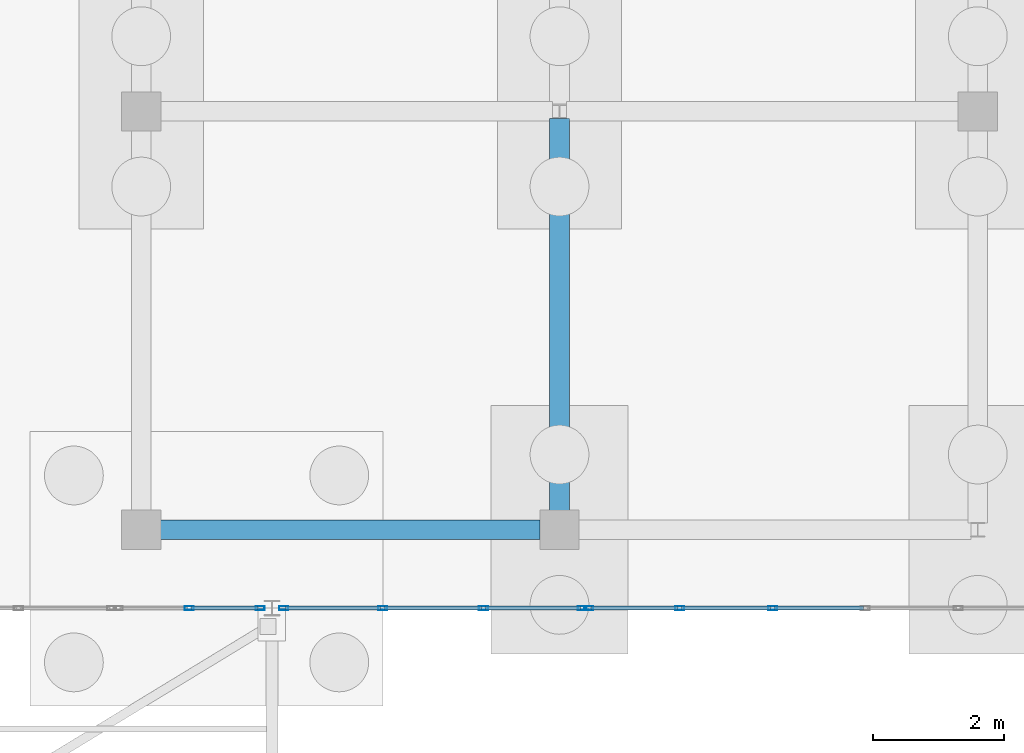
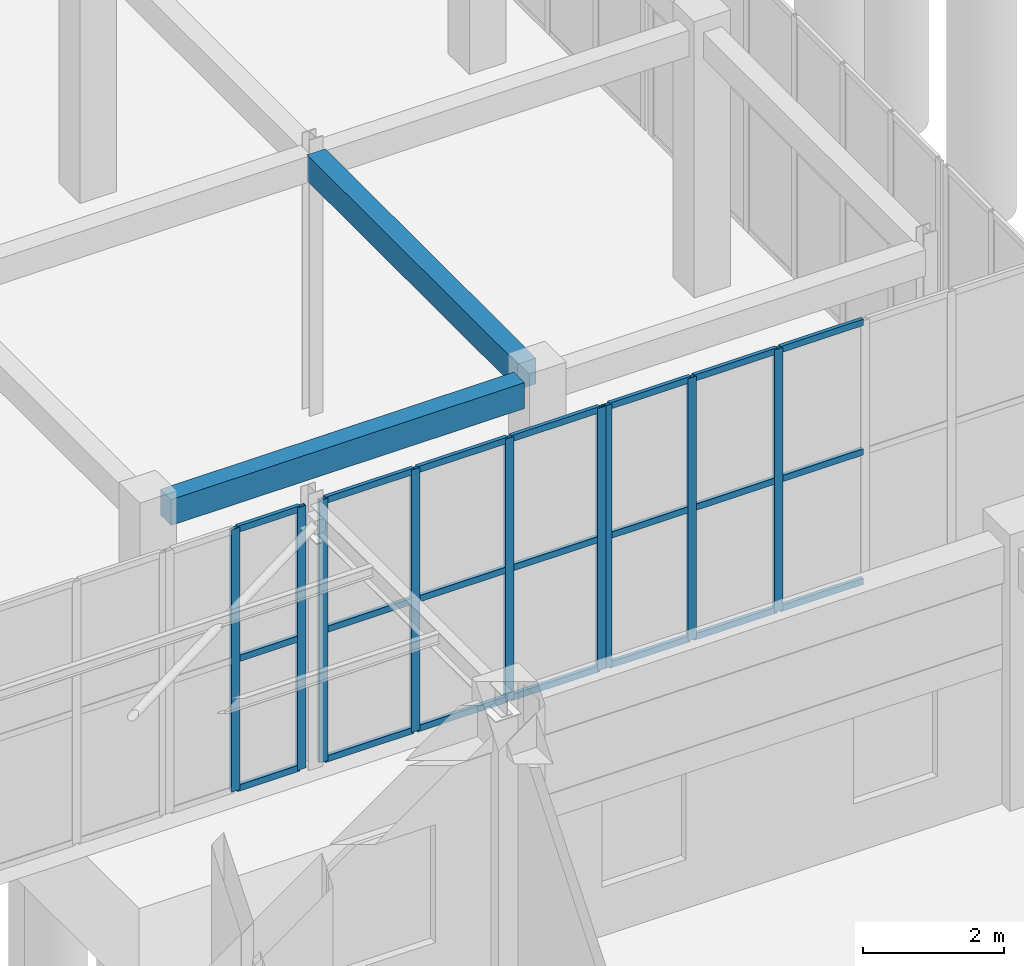
# One storey, part 71 of 192: 30 members, 2 beams, 3 elements without a shape of their own.
"""IFC4 building model written with IfcOpenShell, lengths in metres."""

from ifc_helpers import new_model, si_unit, direction, frame, origin, origin_2d, place, context, subcontext, project, spatial, rectangle, hollow_rectangle, extrude, material, layer, layer_set, material_profile, profile_set, type_object, element, aggregate, save


model = new_model("IFC4")

# Units and contexts
model_context = context("Model", 3, precision=1e-05, world=origin(), true_north=direction((0.0, 1.0)))
body_context = subcontext(model_context, "Body", "Model", "MODEL_VIEW")
ifc_project = project(units=[si_unit("LENGTHUNIT", "METRE"), si_unit("AREAUNIT", "SQUARE_METRE"), si_unit("VOLUMEUNIT", "CUBIC_METRE"), si_unit("PLANEANGLEUNIT", "RADIAN"), si_unit("MASSUNIT", "GRAM", prefix="KILO")], contexts=[model_context])

# Site, building, storey
site_placement = place(None, origin())
site = spatial("IfcSite", under=ifc_project, at=site_placement, CompositionType="ELEMENT")
building_placement = place(site_placement, origin())
building = spatial("IfcBuilding", under=site, at=building_placement, Name="Trelvath General Hospital", CompositionType="ELEMENT")
storey_placement = place(building_placement, origin())
storey = spatial("IfcBuildingStorey", under=building, at=storey_placement, Name="L00", CompositionType="ELEMENT", Elevation=0.0)

# Beams
ifc_material_1 = material(Name="Concrete C35/45", Category="concrete")
ifc_material_profile_1 = material_profile(ifc_material_1, rectangle(XDim=0.300048828125, YDim=0.449951171875, at=origin_2d()), Name="RCB300x450")
ifc_profile_set_1 = profile_set([ifc_material_profile_1], Name="Concrete C35/45")
beam_type = type_object("IfcBeamType", Name="Beam RC300x450", PredefinedType="BEAM", material=ifc_profile_set_1)
beam_1_placement = place(storey_placement, frame((107.49609375, 32.0, 4.3349609375), z_axis=(1.0, 0.0, 0.0), x_axis=(0.0, 1.0, 0.0)))
element("IfcBeam", 1, at=beam_1_placement, inside=storey, type_object=beam_type, Name="Cube Interior Ring Beam CUBE-E-T0 L00", PredefinedType="BEAM", context=body_context, shape_type="SweptSolid", body=[
    extrude(rectangle(XDim=0.300048828125, YDim=0.449951171875, at=origin_2d()), origin(), (0.0, 0.0, 1.0), 5.807861328125),
])
beam_2_placement = place(storey_placement, frame((113.60009765625, 32.2958984375, 4.3349609375), z_axis=(0.0, 1.0, 0.0), x_axis=(-1.0, 0.0, 0.0)))
element("IfcBeam", 2, at=beam_2_placement, inside=storey, type_object=beam_type, Name="Cube Interior Ring Beam CUBE-E-T0 L00", PredefinedType="BEAM", context=body_context, shape_type="SweptSolid", body=[
    extrude(rectangle(XDim=0.300048828125, YDim=0.449951171875, at=origin_2d()), origin(), (0.0, 0.0, 1.0), 5.998046875),
])

# Curtain wall, members
ifc_material_2 = material(Name="Anodised aluminium and low-E glass", Category="aluminium")
ifc_layer_1 = layer(ifc_material_2, 0.139892578125)
ifc_layer_set_1 = layer_set([ifc_layer_1], Name="Anodised aluminium and low-E glass")
curtain_wall_type_1 = type_object("IfcCurtainWallType", Name="CW CrystalCube 223 456 14", PredefinedType="USERDEFINED", material=ifc_layer_set_1)
curtain_wall_1_placement = place(storey_placement, origin())
curtain_wall_1 = element("IfcCurtainWall", 3, at=curtain_wall_1_placement, inside=storey, type_object=curtain_wall_type_1, Name="Crystal Cube Curtain Wall CUBE-E-T0 S3 L00", ObjectType="Unitised Glazed Curtain Wall", PredefinedType="USERDEFINED")
ifc_material_3 = material(Name="Anodised aluminium", Category="aluminium")
ifc_material_profile_2 = material_profile(ifc_material_3, hollow_rectangle(XDim=0.06005859375, YDim=0.139892578125, WallThickness=0.00390625, at=origin_2d()), Name="RHS60x140x4")
ifc_profile_set_2 = profile_set([ifc_material_profile_2], Name="Anodised aluminium")
member_type_1 = type_object("IfcMemberType", Name="CurtainMullion 60x140", PredefinedType="MULLION", material=ifc_profile_set_2)
member_1_placement = place(storey_placement, frame((109.02001953125, 30.800048828125, 0.0), z_axis=(0.0, 0.0, 1.0), x_axis=(0.0, -1.0, 0.0)))
member_1 = element("IfcMember", 4, at=member_1_placement, type_object=member_type_1, Name="CW-108 mullion 1", PredefinedType="MULLION", context=body_context, shape_type="SweptSolid", body=[
    extrude(hollow_rectangle(XDim=0.06005859375, YDim=0.139892578125, WallThickness=0.00390625, at=origin_2d()), origin(), (0.0, 0.0, 1.0), 4.56005859375),
])
member_2_placement = place(storey_placement, frame((107.93505859375, 30.800048828125, 0.0), z_axis=(0.0, 0.0, 1.0), x_axis=(0.0, -1.0, 0.0)))
member_2 = element("IfcMember", 5, at=member_2_placement, type_object=member_type_1, Name="CW-108 mullion 2", PredefinedType="MULLION", context=body_context, shape_type="SweptSolid", body=[
    extrude(hollow_rectangle(XDim=0.06005859375, YDim=0.139892578125, WallThickness=0.00390625, at=origin_2d()), origin(), (0.0, 0.0, 1.0), 4.56005859375),
])

ifc_material_4 = material(Name="Anodised aluminium and low-E glass", Category="aluminium")
ifc_layer_2 = layer(ifc_material_4, 0.139892578125)
ifc_layer_set_2 = layer_set([ifc_layer_2], Name="Anodised aluminium and low-E glass")
curtain_wall_type_2 = type_object("IfcCurtainWallType", Name="CW CrystalCube 463 456 14", PredefinedType="USERDEFINED", material=ifc_layer_set_2)
curtain_wall_2_placement = place(storey_placement, origin())
curtain_wall_2 = element("IfcCurtainWall", 6, at=curtain_wall_2_placement, inside=storey, type_object=curtain_wall_type_2, Name="Crystal Cube Curtain Wall CUBE-E-T0 S4 L00", ObjectType="Unitised Glazed Curtain Wall", PredefinedType="USERDEFINED")
member_3_placement = place(storey_placement, frame((113.949951171875, 30.800048828125, 0.0), z_axis=(0.0, 0.0, 1.0), x_axis=(0.0, -1.0, 0.0)))
member_3 = element("IfcMember", 7, at=member_3_placement, type_object=member_type_1, Name="CW-109 mullion 1", PredefinedType="MULLION", context=body_context, shape_type="SweptSolid", body=[
    extrude(hollow_rectangle(XDim=0.06005859375, YDim=0.139892578125, WallThickness=0.00390625, at=origin_2d()), origin(), (0.0, 0.0, 1.0), 4.56005859375),
])
member_4_placement = place(storey_placement, frame((112.436767578125, 30.800048828125, 0.0), z_axis=(0.0, 0.0, 1.0), x_axis=(0.0, -1.0, 0.0)))
member_4 = element("IfcMember", 8, at=member_4_placement, type_object=member_type_1, Name="CW-109 mullion 2", PredefinedType="MULLION", context=body_context, shape_type="SweptSolid", body=[
    extrude(hollow_rectangle(XDim=0.06005859375, YDim=0.139892578125, WallThickness=0.00390625, at=origin_2d()), origin(), (0.0, 0.0, 1.0), 4.56005859375),
])
member_5_placement = place(storey_placement, frame((110.893310546875, 30.800048828125, 0.0), z_axis=(0.0, 0.0, 1.0), x_axis=(0.0, -1.0, 0.0)))
member_5 = element("IfcMember", 9, at=member_5_placement, type_object=member_type_1, Name="CW-109 mullion 3", PredefinedType="MULLION", context=body_context, shape_type="SweptSolid", body=[
    extrude(hollow_rectangle(XDim=0.06005859375, YDim=0.139892578125, WallThickness=0.00390625, at=origin_2d()), origin(), (0.0, 0.0, 1.0), 4.56005859375),
])
member_6_placement = place(storey_placement, frame((109.3798828125, 30.800048828125, 0.0), z_axis=(0.0, 0.0, 1.0), x_axis=(0.0, -1.0, 0.0)))
member_6 = element("IfcMember", 10, at=member_6_placement, type_object=member_type_1, Name="CW-109 mullion 4", PredefinedType="MULLION", context=body_context, shape_type="SweptSolid", body=[
    extrude(hollow_rectangle(XDim=0.06005859375, YDim=0.139892578125, WallThickness=0.00390625, at=origin_2d()), origin(), (0.0, 0.0, 1.0), 4.56005859375),
])

ifc_material_5 = material(Name="Anodised aluminium and low-E glass", Category="aluminium")
ifc_layer_3 = layer(ifc_material_5, 0.139892578125)
ifc_layer_set_3 = layer_set([ifc_layer_3], Name="Anodised aluminium and low-E glass")
curtain_wall_type_3 = type_object("IfcCurtainWallType", Name="CW CrystalCube 710 456 14", PredefinedType="USERDEFINED", material=ifc_layer_set_3)
curtain_wall_3_placement = place(storey_placement, origin())
curtain_wall_3 = element("IfcCurtainWall", 11, at=curtain_wall_3_placement, inside=storey, type_object=curtain_wall_type_3, Name="Crystal Cube Curtain Wall CUBE-E-T0 S5 L00", ObjectType="Unitised Glazed Curtain Wall", PredefinedType="USERDEFINED")
member_7_placement = place(storey_placement, frame((116.860107421875, 30.800048828125, 0.0), z_axis=(0.0, 0.0, 1.0), x_axis=(0.0, -1.0, 0.0)))
member_7 = element("IfcMember", 12, at=member_7_placement, type_object=member_type_1, Name="CW-110 mullion 4", PredefinedType="MULLION", context=body_context, shape_type="SweptSolid", body=[
    extrude(hollow_rectangle(XDim=0.06005859375, YDim=0.139892578125, WallThickness=0.00390625, at=origin_2d()), origin(), (0.0, 0.0, 1.0), 4.56005859375),
])
member_8_placement = place(storey_placement, frame((115.43994140625, 30.800048828125, 0.0), z_axis=(0.0, 0.0, 1.0), x_axis=(0.0, -1.0, 0.0)))
member_8 = element("IfcMember", 13, at=member_8_placement, type_object=member_type_1, Name="CW-110 mullion 5", PredefinedType="MULLION", context=body_context, shape_type="SweptSolid", body=[
    extrude(hollow_rectangle(XDim=0.06005859375, YDim=0.139892578125, WallThickness=0.00390625, at=origin_2d()), origin(), (0.0, 0.0, 1.0), 4.56005859375),
])
member_9_placement = place(storey_placement, frame((114.050048828125, 30.800048828125, 0.0), z_axis=(0.0, 0.0, 1.0), x_axis=(0.0, -1.0, 0.0)))
member_9 = element("IfcMember", 14, at=member_9_placement, type_object=member_type_1, Name="CW-110 mullion 6", PredefinedType="MULLION", context=body_context, shape_type="SweptSolid", body=[
    extrude(hollow_rectangle(XDim=0.06005859375, YDim=0.139892578125, WallThickness=0.00390625, at=origin_2d()), origin(), (0.0, 0.0, 1.0), 4.56005859375),
])

# Member
ifc_material_6 = material(Name="Anodised aluminium", Category="aluminium")
ifc_material_profile_3 = material_profile(ifc_material_6, hollow_rectangle(XDim=0.06005859375, YDim=0.110107421875, WallThickness=0.00390625, at=origin_2d()), Name="RHS60x110x4")
ifc_profile_set_3 = profile_set([ifc_material_profile_3], Name="Anodised aluminium")
member_type_2 = type_object("IfcMemberType", Name="CurtainTransom 60x110", PredefinedType="USERDEFINED", material=ifc_profile_set_3)
member_10_placement = place(storey_placement, frame((108.989990234375, 30.800048828125, 0.030029296875), z_axis=(-1.0, 0.0, 0.0), x_axis=(0.0, -1.0, 0.0)))
member_10 = element("IfcMember", 15, at=member_10_placement, type_object=member_type_2, Name="CW-108 transom 1.1", ObjectType="TRANSOM", PredefinedType="USERDEFINED", context=body_context, shape_type="SweptSolid", body=[
    extrude(hollow_rectangle(XDim=0.06005859375, YDim=0.110107421875, WallThickness=0.00390625, at=origin_2d()), origin(), (0.0, 0.0, 1.0), 1.02490234375),
])

member_11_placement = place(storey_placement, frame((108.989990234375, 30.800048828125, 2.280029296875), z_axis=(-1.0, 0.0, 0.0), x_axis=(0.0, -1.0, 0.0)))
member_11 = element("IfcMember", 16, at=member_11_placement, type_object=member_type_2, Name="CW-108 transom 1.2", ObjectType="TRANSOM", PredefinedType="USERDEFINED", context=body_context, shape_type="SweptSolid", body=[
    extrude(hollow_rectangle(XDim=0.06005859375, YDim=0.110107421875, WallThickness=0.00390625, at=origin_2d()), origin(), (0.0, 0.0, 1.0), 1.02490234375),
])

member_12_placement = place(storey_placement, frame((108.989990234375, 30.800048828125, 4.530029296875), z_axis=(-1.0, 0.0, 0.0), x_axis=(0.0, -1.0, 0.0)))
member_12 = element("IfcMember", 17, at=member_12_placement, type_object=member_type_2, Name="CW-108 transom 1.3", ObjectType="TRANSOM", PredefinedType="USERDEFINED", context=body_context, shape_type="SweptSolid", body=[
    extrude(hollow_rectangle(XDim=0.06005859375, YDim=0.110107421875, WallThickness=0.00390625, at=origin_2d()), origin(), (0.0, 0.0, 1.0), 1.02490234375),
])

aggregate(curtain_wall_1, [member_1, member_2, member_10, member_11, member_12])

member_13_placement = place(storey_placement, frame((113.919921875, 30.800048828125, 0.030029296875), z_axis=(-1.0, 0.0, 0.0), x_axis=(0.0, -1.0, 0.0)))
member_13 = element("IfcMember", 18, at=member_13_placement, type_object=member_type_2, Name="CW-109 transom 1.1", ObjectType="TRANSOM", PredefinedType="USERDEFINED", context=body_context, shape_type="SweptSolid", body=[
    extrude(hollow_rectangle(XDim=0.06005859375, YDim=0.110107421875, WallThickness=0.00390625, at=origin_2d()), origin(), (0.0, 0.0, 1.0), 1.453369140625),
])

member_14_placement = place(storey_placement, frame((113.919921875, 30.800048828125, 2.280029296875), z_axis=(-1.0, 0.0, 0.0), x_axis=(0.0, -1.0, 0.0)))
member_14 = element("IfcMember", 19, at=member_14_placement, type_object=member_type_2, Name="CW-109 transom 1.2", ObjectType="TRANSOM", PredefinedType="USERDEFINED", context=body_context, shape_type="SweptSolid", body=[
    extrude(hollow_rectangle(XDim=0.06005859375, YDim=0.110107421875, WallThickness=0.00390625, at=origin_2d()), origin(), (0.0, 0.0, 1.0), 1.453369140625),
])

member_15_placement = place(storey_placement, frame((113.919921875, 30.800048828125, 4.530029296875), z_axis=(-1.0, 0.0, 0.0), x_axis=(0.0, -1.0, 0.0)))
member_15 = element("IfcMember", 20, at=member_15_placement, type_object=member_type_2, Name="CW-109 transom 1.3", ObjectType="TRANSOM", PredefinedType="USERDEFINED", context=body_context, shape_type="SweptSolid", body=[
    extrude(hollow_rectangle(XDim=0.06005859375, YDim=0.110107421875, WallThickness=0.00390625, at=origin_2d()), origin(), (0.0, 0.0, 1.0), 1.453369140625),
])

member_16_placement = place(storey_placement, frame((112.40673828125, 30.800048828125, 0.030029296875), z_axis=(-1.0, 0.0, 0.0), x_axis=(0.0, -1.0, 0.0)))
member_16 = element("IfcMember", 21, at=member_16_placement, type_object=member_type_2, Name="CW-109 transom 2.1", ObjectType="TRANSOM", PredefinedType="USERDEFINED", context=body_context, shape_type="SweptSolid", body=[
    extrude(hollow_rectangle(XDim=0.06005859375, YDim=0.110107421875, WallThickness=0.00390625, at=origin_2d()), origin(), (0.0, 0.0, 1.0), 1.4833984375),
])

member_17_placement = place(storey_placement, frame((112.40673828125, 30.800048828125, 2.280029296875), z_axis=(-1.0, 0.0, 0.0), x_axis=(0.0, -1.0, 0.0)))
member_17 = element("IfcMember", 22, at=member_17_placement, type_object=member_type_2, Name="CW-109 transom 2.2", ObjectType="TRANSOM", PredefinedType="USERDEFINED", context=body_context, shape_type="SweptSolid", body=[
    extrude(hollow_rectangle(XDim=0.06005859375, YDim=0.110107421875, WallThickness=0.00390625, at=origin_2d()), origin(), (0.0, 0.0, 1.0), 1.4833984375),
])

member_18_placement = place(storey_placement, frame((112.40673828125, 30.800048828125, 4.530029296875), z_axis=(-1.0, 0.0, 0.0), x_axis=(0.0, -1.0, 0.0)))
member_18 = element("IfcMember", 23, at=member_18_placement, type_object=member_type_2, Name="CW-109 transom 2.3", ObjectType="TRANSOM", PredefinedType="USERDEFINED", context=body_context, shape_type="SweptSolid", body=[
    extrude(hollow_rectangle(XDim=0.06005859375, YDim=0.110107421875, WallThickness=0.00390625, at=origin_2d()), origin(), (0.0, 0.0, 1.0), 1.4833984375),
])

member_19_placement = place(storey_placement, frame((110.86328125, 30.800048828125, 0.030029296875), z_axis=(-1.0, 0.0, 0.0), x_axis=(0.0, -1.0, 0.0)))
member_19 = element("IfcMember", 24, at=member_19_placement, type_object=member_type_2, Name="CW-109 transom 3.1", ObjectType="TRANSOM", PredefinedType="USERDEFINED", context=body_context, shape_type="SweptSolid", body=[
    extrude(hollow_rectangle(XDim=0.06005859375, YDim=0.110107421875, WallThickness=0.00390625, at=origin_2d()), origin(), (0.0, 0.0, 1.0), 1.453369140625),
])

member_20_placement = place(storey_placement, frame((110.86328125, 30.800048828125, 2.280029296875), z_axis=(-1.0, 0.0, 0.0), x_axis=(0.0, -1.0, 0.0)))
member_20 = element("IfcMember", 25, at=member_20_placement, type_object=member_type_2, Name="CW-109 transom 3.2", ObjectType="TRANSOM", PredefinedType="USERDEFINED", context=body_context, shape_type="SweptSolid", body=[
    extrude(hollow_rectangle(XDim=0.06005859375, YDim=0.110107421875, WallThickness=0.00390625, at=origin_2d()), origin(), (0.0, 0.0, 1.0), 1.453369140625),
])

member_21_placement = place(storey_placement, frame((110.86328125, 30.800048828125, 4.530029296875), z_axis=(-1.0, 0.0, 0.0), x_axis=(0.0, -1.0, 0.0)))
member_21 = element("IfcMember", 26, at=member_21_placement, type_object=member_type_2, Name="CW-109 transom 3.3", ObjectType="TRANSOM", PredefinedType="USERDEFINED", context=body_context, shape_type="SweptSolid", body=[
    extrude(hollow_rectangle(XDim=0.06005859375, YDim=0.110107421875, WallThickness=0.00390625, at=origin_2d()), origin(), (0.0, 0.0, 1.0), 1.453369140625),
])

aggregate(curtain_wall_2, [member_3, member_4, member_5, member_6, member_13, member_14, member_15, member_16, member_17, member_18, member_19, member_20, member_21])

member_22_placement = place(storey_placement, frame((118.25, 30.800048828125, 0.030029296875), z_axis=(-1.0, 0.0, 0.0), x_axis=(0.0, -1.0, 0.0)))
member_22 = element("IfcMember", 27, at=member_22_placement, type_object=member_type_2, Name="CW-110 transom 3.1", ObjectType="TRANSOM", PredefinedType="USERDEFINED", context=body_context, shape_type="SweptSolid", body=[
    extrude(hollow_rectangle(XDim=0.06005859375, YDim=0.110107421875, WallThickness=0.00390625, at=origin_2d()), origin(), (0.0, 0.0, 1.0), 1.360107421875),
])

member_23_placement = place(storey_placement, frame((118.25, 30.800048828125, 2.280029296875), z_axis=(-1.0, 0.0, 0.0), x_axis=(0.0, -1.0, 0.0)))
member_23 = element("IfcMember", 28, at=member_23_placement, type_object=member_type_2, Name="CW-110 transom 3.2", ObjectType="TRANSOM", PredefinedType="USERDEFINED", context=body_context, shape_type="SweptSolid", body=[
    extrude(hollow_rectangle(XDim=0.06005859375, YDim=0.110107421875, WallThickness=0.00390625, at=origin_2d()), origin(), (0.0, 0.0, 1.0), 1.360107421875),
])

member_24_placement = place(storey_placement, frame((118.25, 30.800048828125, 4.530029296875), z_axis=(-1.0, 0.0, 0.0), x_axis=(0.0, -1.0, 0.0)))
member_24 = element("IfcMember", 29, at=member_24_placement, type_object=member_type_2, Name="CW-110 transom 3.3", ObjectType="TRANSOM", PredefinedType="USERDEFINED", context=body_context, shape_type="SweptSolid", body=[
    extrude(hollow_rectangle(XDim=0.06005859375, YDim=0.110107421875, WallThickness=0.00390625, at=origin_2d()), origin(), (0.0, 0.0, 1.0), 1.360107421875),
])

member_25_placement = place(storey_placement, frame((116.830078125, 30.800048828125, 0.030029296875), z_axis=(-1.0, 0.0, 0.0), x_axis=(0.0, -1.0, 0.0)))
member_25 = element("IfcMember", 30, at=member_25_placement, type_object=member_type_2, Name="CW-110 transom 4.1", ObjectType="TRANSOM", PredefinedType="USERDEFINED", context=body_context, shape_type="SweptSolid", body=[
    extrude(hollow_rectangle(XDim=0.06005859375, YDim=0.110107421875, WallThickness=0.00390625, at=origin_2d()), origin(), (0.0, 0.0, 1.0), 1.360107421875),
])

member_26_placement = place(storey_placement, frame((116.830078125, 30.800048828125, 2.280029296875), z_axis=(-1.0, 0.0, 0.0), x_axis=(0.0, -1.0, 0.0)))
member_26 = element("IfcMember", 31, at=member_26_placement, type_object=member_type_2, Name="CW-110 transom 4.2", ObjectType="TRANSOM", PredefinedType="USERDEFINED", context=body_context, shape_type="SweptSolid", body=[
    extrude(hollow_rectangle(XDim=0.06005859375, YDim=0.110107421875, WallThickness=0.00390625, at=origin_2d()), origin(), (0.0, 0.0, 1.0), 1.360107421875),
])

member_27_placement = place(storey_placement, frame((116.830078125, 30.800048828125, 4.530029296875), z_axis=(-1.0, 0.0, 0.0), x_axis=(0.0, -1.0, 0.0)))
member_27 = element("IfcMember", 32, at=member_27_placement, type_object=member_type_2, Name="CW-110 transom 4.3", ObjectType="TRANSOM", PredefinedType="USERDEFINED", context=body_context, shape_type="SweptSolid", body=[
    extrude(hollow_rectangle(XDim=0.06005859375, YDim=0.110107421875, WallThickness=0.00390625, at=origin_2d()), origin(), (0.0, 0.0, 1.0), 1.360107421875),
])

member_28_placement = place(storey_placement, frame((115.409912109375, 30.800048828125, 0.030029296875), z_axis=(-1.0, 0.0, 0.0), x_axis=(0.0, -1.0, 0.0)))
member_28 = element("IfcMember", 33, at=member_28_placement, type_object=member_type_2, Name="CW-110 transom 5.1", ObjectType="TRANSOM", PredefinedType="USERDEFINED", context=body_context, shape_type="SweptSolid", body=[
    extrude(hollow_rectangle(XDim=0.06005859375, YDim=0.110107421875, WallThickness=0.00390625, at=origin_2d()), origin(), (0.0, 0.0, 1.0), 1.329833984375),
])

member_29_placement = place(storey_placement, frame((115.409912109375, 30.800048828125, 2.280029296875), z_axis=(-1.0, 0.0, 0.0), x_axis=(0.0, -1.0, 0.0)))
member_29 = element("IfcMember", 34, at=member_29_placement, type_object=member_type_2, Name="CW-110 transom 5.2", ObjectType="TRANSOM", PredefinedType="USERDEFINED", context=body_context, shape_type="SweptSolid", body=[
    extrude(hollow_rectangle(XDim=0.06005859375, YDim=0.110107421875, WallThickness=0.00390625, at=origin_2d()), origin(), (0.0, 0.0, 1.0), 1.329833984375),
])

member_30_placement = place(storey_placement, frame((115.409912109375, 30.800048828125, 4.530029296875), z_axis=(-1.0, 0.0, 0.0), x_axis=(0.0, -1.0, 0.0)))
member_30 = element("IfcMember", 35, at=member_30_placement, type_object=member_type_2, Name="CW-110 transom 5.3", ObjectType="TRANSOM", PredefinedType="USERDEFINED", context=body_context, shape_type="SweptSolid", body=[
    extrude(hollow_rectangle(XDim=0.06005859375, YDim=0.110107421875, WallThickness=0.00390625, at=origin_2d()), origin(), (0.0, 0.0, 1.0), 1.329833984375),
])

aggregate(curtain_wall_3, [member_7, member_8, member_9, member_22, member_23, member_24, member_25, member_26, member_27, member_28, member_29, member_30])

save(model, "model.ifc")
